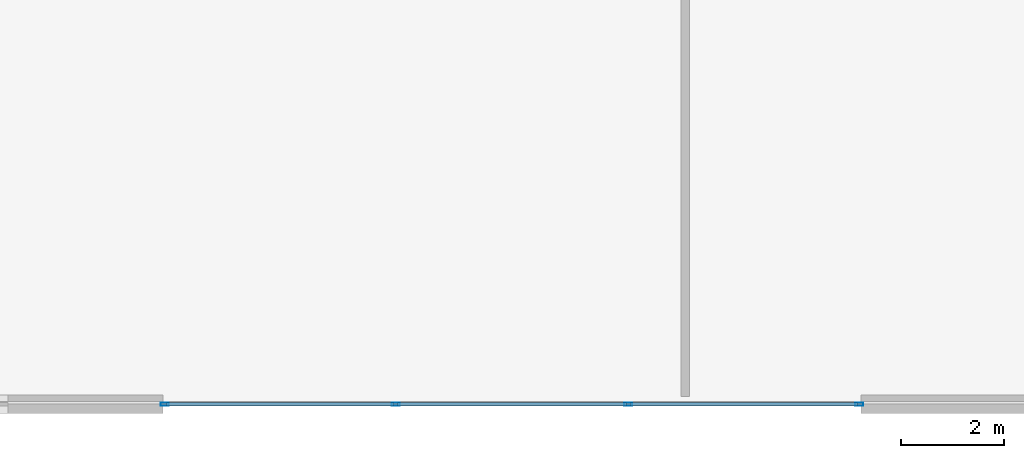
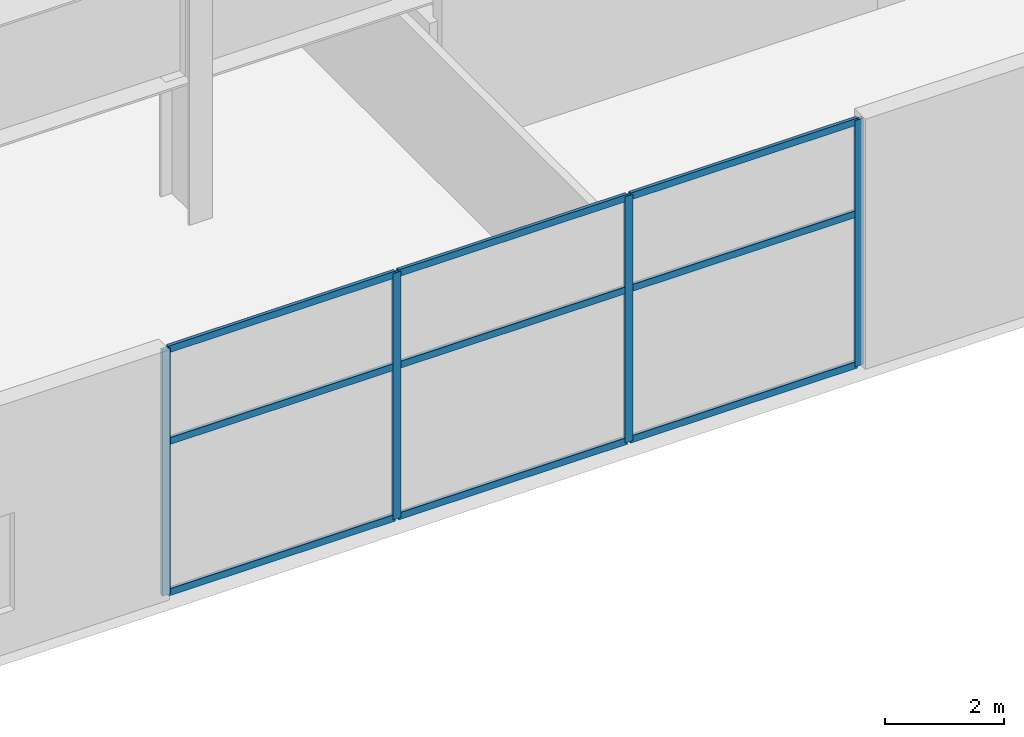
# One storey, part 4 of 29: 13 members, 1 element without a shape of its own.
"""IFC4 building model written with IfcOpenShell, lengths in metres."""

from ifc_helpers import new_model, si_unit, direction, frame, origin, origin_2d, place, context, subcontext, project, spatial, hollow_rectangle, extrude, material, layer, layer_set, material_profile, profile_set, type_object, element, aggregate, save


model = new_model("IFC4")

# Units and contexts
model_context = context("Model", 3, precision=1e-05, world=origin(), true_north=direction((0.0, 1.0)))
body_context = subcontext(model_context, "Body", "Model", "MODEL_VIEW")
ifc_project = project(units=[si_unit("LENGTHUNIT", "METRE"), si_unit("AREAUNIT", "SQUARE_METRE"), si_unit("VOLUMEUNIT", "CUBIC_METRE"), si_unit("PLANEANGLEUNIT", "RADIAN"), si_unit("MASSUNIT", "GRAM", prefix="KILO")], contexts=[model_context])

# Site, building, storey
site_placement = place(None, origin())
site = spatial("IfcSite", under=ifc_project, at=site_placement, CompositionType="ELEMENT")
building_placement = place(site_placement, origin())
building = spatial("IfcBuilding", under=site, at=building_placement, Name="Haevon Station Towers", CompositionType="ELEMENT")
storey_placement = place(building_placement, frame((0.0, 0.0, 25.199951171875)))
storey = spatial("IfcBuildingStorey", under=building, at=storey_placement, Name="L05", CompositionType="ELEMENT", Elevation=25.199951171875)

# Curtain wall, members
ifc_material_1 = material(Name="Anodised aluminium and Low-E double glazing", Category="aluminium")
ifc_layer = layer(ifc_material_1, 0.179931640625)
ifc_layer_set = layer_set([ifc_layer], Name="Anodised aluminium and Low-E double glazing")
curtain_wall_type = type_object("IfcCurtainWallType", Name="CW-SYS3", PredefinedType="NOTDEFINED", material=ifc_layer_set)
curtain_wall_placement = place(storey_placement, origin())
curtain_wall = element("IfcCurtainWall", 1, at=curtain_wall_placement, inside=storey, type_object=curtain_wall_type, Name="L05 Curtain Wall CW-POD-L05-S2", PredefinedType="NOTDEFINED")
ifc_material_2 = material(Name="Anodised aluminium 6063-T6", Category="aluminium")
ifc_material_profile_1 = material_profile(ifc_material_2, hollow_rectangle(XDim=0.06494140625, YDim=0.159912109375, WallThickness=0.00390625, at=origin_2d()), Name="CWM-160x65x4")
ifc_profile_set_1 = profile_set([ifc_material_profile_1], Name="Anodised aluminium 6063-T6")
member_type_1 = type_object("IfcMemberType", Name="CWM-160", PredefinedType="MULLION", material=ifc_profile_set_1)
member_1_placement = place(storey_placement, frame((58.467529296875, 5.5, 0.0), z_axis=(0.0, 0.0, 1.0), x_axis=(0.0, -1.0, 0.0)))
member_1 = element("IfcMember", 2, at=member_1_placement, type_object=member_type_1, Name="CW-SYS3 mullion 1", PredefinedType="MULLION", context=body_context, shape_type="SweptSolid", body=[
    extrude(hollow_rectangle(XDim=0.06494140625, YDim=0.159912109375, WallThickness=0.00390625, at=origin_2d()), origin(), (0.0, 0.0, 1.0), 5.050048828125),
])
member_2_placement = place(storey_placement, frame((54.0, 5.5, 0.0), z_axis=(0.0, 0.0, 1.0), x_axis=(0.0, -1.0, 0.0)))
member_2 = element("IfcMember", 3, at=member_2_placement, type_object=member_type_1, Name="CW-SYS3 mullion 2", PredefinedType="MULLION", context=body_context, shape_type="SweptSolid", body=[
    extrude(hollow_rectangle(XDim=0.06494140625, YDim=0.159912109375, WallThickness=0.00390625, at=origin_2d()), origin(), (0.0, 0.0, 1.0), 5.050048828125),
])
member_3_placement = place(storey_placement, frame((49.5, 5.5, 0.0), z_axis=(0.0, 0.0, 1.0), x_axis=(0.0, -1.0, 0.0)))
member_3 = element("IfcMember", 4, at=member_3_placement, type_object=member_type_1, Name="CW-SYS3 mullion 3", PredefinedType="MULLION", context=body_context, shape_type="SweptSolid", body=[
    extrude(hollow_rectangle(XDim=0.06494140625, YDim=0.159912109375, WallThickness=0.00390625, at=origin_2d()), origin(), (0.0, 0.0, 1.0), 5.050048828125),
])
member_4_placement = place(storey_placement, frame((45.032470703125, 5.5, 0.0), z_axis=(0.0, 0.0, 1.0), x_axis=(0.0, -1.0, 0.0)))
member_4 = element("IfcMember", 5, at=member_4_placement, type_object=member_type_1, Name="CW-SYS3 mullion 4", PredefinedType="MULLION", context=body_context, shape_type="SweptSolid", body=[
    extrude(hollow_rectangle(XDim=0.06494140625, YDim=0.159912109375, WallThickness=0.00390625, at=origin_2d()), origin(), (0.0, 0.0, 1.0), 5.050048828125),
])
ifc_material_profile_2 = material_profile(ifc_material_2, hollow_rectangle(XDim=0.06494140625, YDim=0.139892578125, WallThickness=0.00341796875, at=origin_2d()), Name="CWT-140x65x3.5")
ifc_profile_set_2 = profile_set([ifc_material_profile_2], Name="Anodised aluminium 6063-T6")
member_type_2 = type_object("IfcMemberType", Name="CWT-140", PredefinedType="USERDEFINED", material=ifc_profile_set_2)
member_5_placement = place(storey_placement, frame((58.43505859375, 5.5, 0.032470703125), z_axis=(-1.0, 0.0, 0.0), x_axis=(0.0, -1.0, 0.0)))
member_5 = element("IfcMember", 6, at=member_5_placement, type_object=member_type_2, Name="CW-SYS3 transom 1.1", ObjectType="TRANSOM", PredefinedType="USERDEFINED", context=body_context, shape_type="SweptSolid", body=[
    extrude(hollow_rectangle(XDim=0.06494140625, YDim=0.139892578125, WallThickness=0.00341796875, at=origin_2d()), origin(), (0.0, 0.0, 1.0), 4.402587890625),
])
member_6_placement = place(storey_placement, frame((58.43505859375, 5.5, 3.131103515625), z_axis=(-1.0, 0.0, 0.0), x_axis=(0.0, -1.0, 0.0)))
member_6 = element("IfcMember", 7, at=member_6_placement, type_object=member_type_2, Name="CW-SYS3 transom 1.2", ObjectType="TRANSOM", PredefinedType="USERDEFINED", context=body_context, shape_type="SweptSolid", body=[
    extrude(hollow_rectangle(XDim=0.06494140625, YDim=0.139892578125, WallThickness=0.00341796875, at=origin_2d()), origin(), (0.0, 0.0, 1.0), 4.402587890625),
])
member_7_placement = place(storey_placement, frame((58.43505859375, 5.5, 5.017578125), z_axis=(-1.0, 0.0, 0.0), x_axis=(0.0, -1.0, 0.0)))
member_7 = element("IfcMember", 8, at=member_7_placement, type_object=member_type_2, Name="CW-SYS3 transom 1.3", ObjectType="TRANSOM", PredefinedType="USERDEFINED", context=body_context, shape_type="SweptSolid", body=[
    extrude(hollow_rectangle(XDim=0.06494140625, YDim=0.139892578125, WallThickness=0.00341796875, at=origin_2d()), origin(), (0.0, 0.0, 1.0), 4.402587890625),
])
member_8_placement = place(storey_placement, frame((53.967529296875, 5.5, 0.032470703125), z_axis=(-1.0, 0.0, 0.0), x_axis=(0.0, -1.0, 0.0)))
member_8 = element("IfcMember", 9, at=member_8_placement, type_object=member_type_2, Name="CW-SYS3 transom 2.1", ObjectType="TRANSOM", PredefinedType="USERDEFINED", context=body_context, shape_type="SweptSolid", body=[
    extrude(hollow_rectangle(XDim=0.06494140625, YDim=0.139892578125, WallThickness=0.00341796875, at=origin_2d()), origin(), (0.0, 0.0, 1.0), 4.43505859375),
])
member_9_placement = place(storey_placement, frame((53.967529296875, 5.5, 3.131103515625), z_axis=(-1.0, 0.0, 0.0), x_axis=(0.0, -1.0, 0.0)))
member_9 = element("IfcMember", 10, at=member_9_placement, type_object=member_type_2, Name="CW-SYS3 transom 2.2", ObjectType="TRANSOM", PredefinedType="USERDEFINED", context=body_context, shape_type="SweptSolid", body=[
    extrude(hollow_rectangle(XDim=0.06494140625, YDim=0.139892578125, WallThickness=0.00341796875, at=origin_2d()), origin(), (0.0, 0.0, 1.0), 4.43505859375),
])
member_10_placement = place(storey_placement, frame((53.967529296875, 5.5, 5.017578125), z_axis=(-1.0, 0.0, 0.0), x_axis=(0.0, -1.0, 0.0)))
member_10 = element("IfcMember", 11, at=member_10_placement, type_object=member_type_2, Name="CW-SYS3 transom 2.3", ObjectType="TRANSOM", PredefinedType="USERDEFINED", context=body_context, shape_type="SweptSolid", body=[
    extrude(hollow_rectangle(XDim=0.06494140625, YDim=0.139892578125, WallThickness=0.00341796875, at=origin_2d()), origin(), (0.0, 0.0, 1.0), 4.43505859375),
])
member_11_placement = place(storey_placement, frame((49.467529296875, 5.5, 0.032470703125), z_axis=(-1.0, 0.0, 0.0), x_axis=(0.0, -1.0, 0.0)))
member_11 = element("IfcMember", 12, at=member_11_placement, type_object=member_type_2, Name="CW-SYS3 transom 3.1", ObjectType="TRANSOM", PredefinedType="USERDEFINED", context=body_context, shape_type="SweptSolid", body=[
    extrude(hollow_rectangle(XDim=0.06494140625, YDim=0.139892578125, WallThickness=0.00341796875, at=origin_2d()), origin(), (0.0, 0.0, 1.0), 4.402587890625),
])
member_12_placement = place(storey_placement, frame((49.467529296875, 5.5, 3.131103515625), z_axis=(-1.0, 0.0, 0.0), x_axis=(0.0, -1.0, 0.0)))
member_12 = element("IfcMember", 13, at=member_12_placement, type_object=member_type_2, Name="CW-SYS3 transom 3.2", ObjectType="TRANSOM", PredefinedType="USERDEFINED", context=body_context, shape_type="SweptSolid", body=[
    extrude(hollow_rectangle(XDim=0.06494140625, YDim=0.139892578125, WallThickness=0.00341796875, at=origin_2d()), origin(), (0.0, 0.0, 1.0), 4.402587890625),
])
member_13_placement = place(storey_placement, frame((49.467529296875, 5.5, 5.017578125), z_axis=(-1.0, 0.0, 0.0), x_axis=(0.0, -1.0, 0.0)))
member_13 = element("IfcMember", 14, at=member_13_placement, type_object=member_type_2, Name="CW-SYS3 transom 3.3", ObjectType="TRANSOM", PredefinedType="USERDEFINED", context=body_context, shape_type="SweptSolid", body=[
    extrude(hollow_rectangle(XDim=0.06494140625, YDim=0.139892578125, WallThickness=0.00341796875, at=origin_2d()), origin(), (0.0, 0.0, 1.0), 4.402587890625),
])
aggregate(curtain_wall, [member_1, member_2, member_3, member_4, member_5, member_6, member_7, member_8, member_9, member_10, member_11, member_12, member_13])

save(model, "model.ifc")
